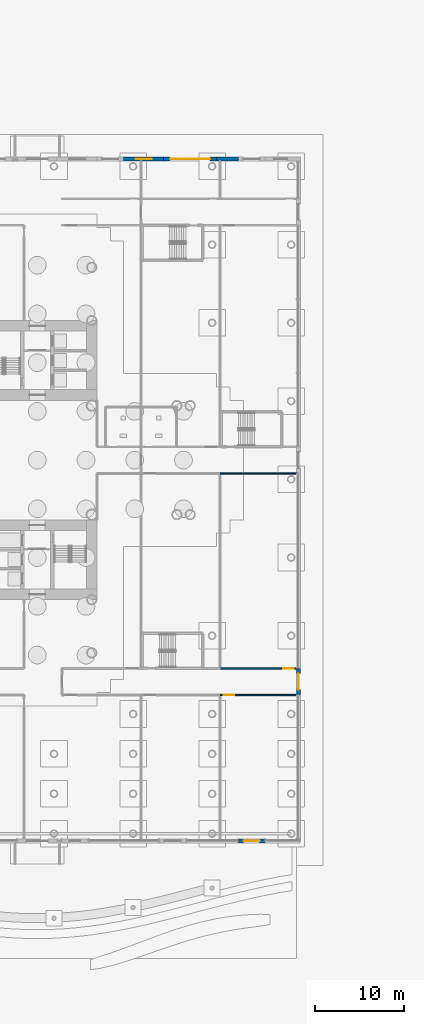
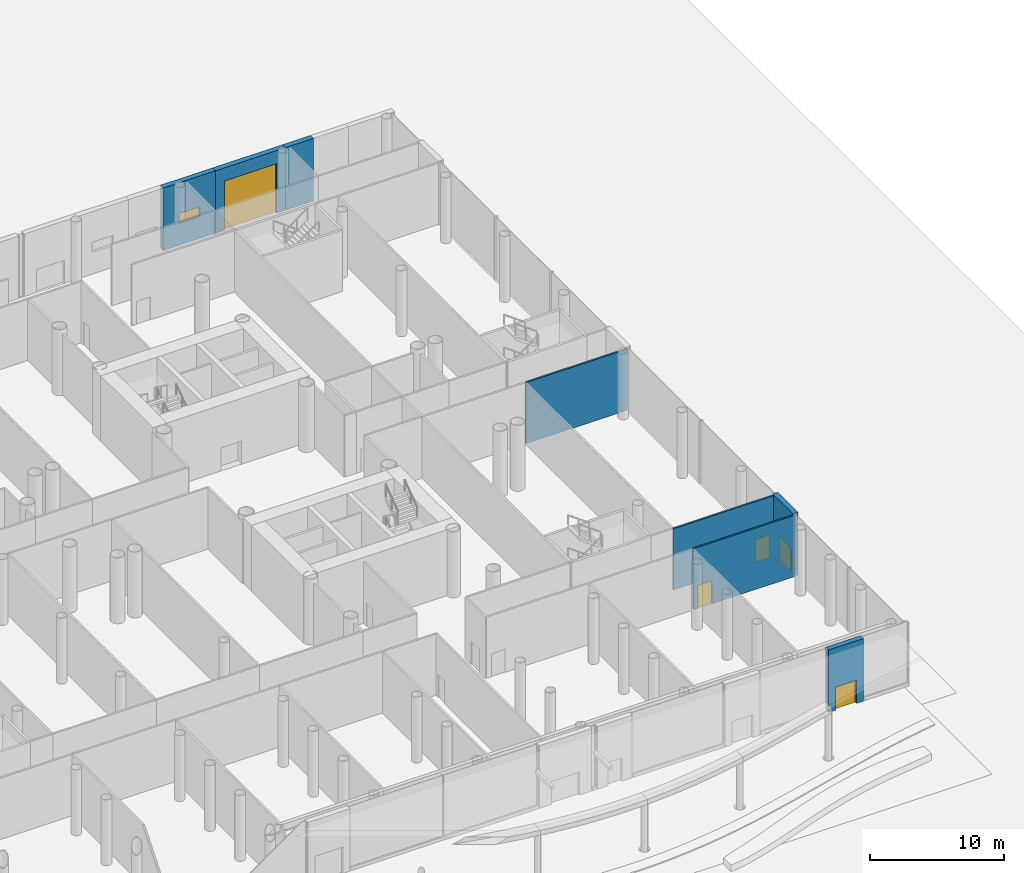
# One storey, part 37 of 75: 8 walls, 5 doors, 1 window, 6 openings.
"""IFC4 building model written with IfcOpenShell, lengths in metres."""

from ifc_helpers import new_model, si_unit, direction, frame, frame_2d, origin, place, context, subcontext, project, spatial, rectangle, extrude, material, layer, layer_set, type_object, element, fill, save


model = new_model("IFC4")

# Units and contexts
model_context = context("Model", 3, precision=1e-05, world=origin(), true_north=direction((0.0, 1.0)))
body_context = subcontext(model_context, "Body", "Model", "MODEL_VIEW")
ifc_project = project(units=[si_unit("LENGTHUNIT", "METRE"), si_unit("AREAUNIT", "SQUARE_METRE"), si_unit("VOLUMEUNIT", "CUBIC_METRE"), si_unit("PLANEANGLEUNIT", "RADIAN"), si_unit("MASSUNIT", "GRAM", prefix="KILO")], contexts=[model_context])

# Site, building, storey
site_placement = place(None, origin())
site = spatial("IfcSite", under=ifc_project, at=site_placement, CompositionType="ELEMENT")
building_placement = place(site_placement, origin())
building = spatial("IfcBuilding", under=site, at=building_placement, Name="Ipe Terrace Towers", CompositionType="ELEMENT")
storey_placement = place(building_placement, origin())
storey = spatial("IfcBuildingStorey", under=building, at=storey_placement, Name="L00", CompositionType="ELEMENT", Elevation=0.0)

# Wall, opening, door
ifc_material_1 = material(Name="Gypsum board partition", Category="plasterboard")
ifc_layer_1 = layer(ifc_material_1, 0.14990234375)
ifc_layer_set_1 = layer_set([ifc_layer_1], Name="Gypsum board partition 150 mm")
wall_type_1 = type_object("IfcWallType", Name="Gypsum board partition 150 mm", PredefinedType="PARTITIONING", material=ifc_layer_set_1)
wall_1_placement = place(storey_placement, frame((56.6298828125, -26.5, 0.0), z_axis=(0.0, 0.0, 1.0), x_axis=(1.0, 0.0, 0.0)))
wall_1 = element("IfcWall", 1, at=wall_1_placement, inside=storey, type_object=wall_type_1, Name="Gypsum board partition T2 L00 pd-r55-w69", PredefinedType="PARTITIONING", context=body_context, shape_type="SweptSolid", body=[
    extrude(rectangle(XDim=8.72021484375, YDim=0.14990234375, at=frame_2d((4.360107421875, 0.0))), origin(), (0.0, 0.0, 1.0), 5.580078125),
])
opening_1_placement = place(wall_1_placement, frame((0.39990234375, 0.0, 0.0)))
opening_1 = element("IfcOpeningElement", 2, at=opening_1_placement, cuts=wall_1, Name="Opening PD-L00-r55", PredefinedType="OPENING", context=body_context, shape_type="SweptSolid", body=[
    extrude(rectangle(XDim=1.199951171875, YDim=2.10009765625, at=frame_2d((0.60009765625, 1.050048828125))), frame((0.0, 0.0849609375, 0.0), z_axis=(0.0, -1.0, 0.0), x_axis=(1.0, 0.0, 0.0)), (0.0, 0.0, 1.0), 0.169921875),
])
ifc_material_2 = material(Name="Fire-rated timber door leaf", Category="wood")
door_type_1 = type_object("IfcDoorType", Name="Lounge door 1200 x 2100 FD30S", OperationType="NOTDEFINED", PredefinedType="DOOR", material=ifc_material_2)
door_1_placement = place(opening_1_placement, origin())
door_1 = element("IfcDoor", 3, at=door_1_placement, inside=storey, type_object=door_type_1, Name="Lounge door PD-L00-r55", OperationType="SINGLE_SWING_RIGHT", OverallHeight=2.10009765625, OverallWidth=1.199951171875, PredefinedType="DOOR", context=body_context, shape_type="SweptSolid", body=[
    extrude(rectangle(XDim=1.199951171875, YDim=2.10009765625, at=frame_2d((0.60009765625, 1.050048828125))), frame((0.0, 0.02490234375, 0.0), z_axis=(0.0, -1.0, 0.0), x_axis=(1.0, 0.0, 0.0)), (0.0, 0.0, 1.0), 0.050048828125),
])
fill(opening_1, door_1)

wall_2_placement = place(storey_placement, frame((65.35009765625, -23.5, 0.0), z_axis=(0.0, 0.0, 1.0), x_axis=(-1.0, 0.0, 0.0)))
wall_2 = element("IfcWall", 4, at=wall_2_placement, inside=storey, type_object=wall_type_1, Name="Gypsum board partition T2 L00 pd-r56-w70", PredefinedType="PARTITIONING", context=body_context, shape_type="SweptSolid", body=[
    extrude(rectangle(XDim=8.72021484375, YDim=0.14990234375, at=frame_2d((4.360107421875, 0.0))), origin(), (0.0, 0.0, 1.0), 5.580078125),
])
opening_2_placement = place(wall_2_placement, frame((0.39990234375, 0.0, 0.0)))
opening_2 = element("IfcOpeningElement", 5, at=opening_2_placement, cuts=wall_2, Name="Opening PD-L00-r56", PredefinedType="OPENING", context=body_context, shape_type="SweptSolid", body=[
    extrude(rectangle(XDim=1.199951171875, YDim=2.10009765625, at=frame_2d((0.60009765625, 1.050048828125))), frame((0.0, 0.0849609375, 0.0), z_axis=(0.0, -1.0, 0.0), x_axis=(1.0, 0.0, 0.0)), (0.0, 0.0, 1.0), 0.169921875),
])
door_2_placement = place(opening_2_placement, origin())
door_2 = element("IfcDoor", 6, at=door_2_placement, inside=storey, type_object=door_type_1, Name="Lounge door PD-L00-r56", OperationType="SINGLE_SWING_RIGHT", OverallHeight=2.10009765625, OverallWidth=1.199951171875, PredefinedType="DOOR", context=body_context, shape_type="SweptSolid", body=[
    extrude(rectangle(XDim=1.199951171875, YDim=2.10009765625, at=frame_2d((0.60009765625, 1.050048828125))), frame((0.0, 0.02490234375, 0.0), z_axis=(0.0, -1.0, 0.0), x_axis=(1.0, 0.0, 0.0)), (0.0, 0.0, 1.0), 0.050048828125),
])
fill(opening_2, door_2)

# Wall
wall_3_placement = place(storey_placement, frame((56.6298828125, -1.5, 0.0), z_axis=(0.0, 0.0, 1.0), x_axis=(1.0, 0.0, 0.0)))
element("IfcWall", 7, at=wall_3_placement, inside=storey, type_object=wall_type_1, Name="Gypsum board partition T2 L00 pd-r56-w71", PredefinedType="PARTITIONING", context=body_context, shape_type="SweptSolid", body=[
    extrude(rectangle(XDim=8.72021484375, YDim=0.14990234375, at=frame_2d((4.360107421875, 0.0))), origin(), (0.0, 0.0, 1.0), 5.580078125),
])

# Wall, opening, door
ifc_material_3 = material(Name="Concrete C40/50 with buff precast cladding", Category="concrete")
ifc_layer_2 = layer(ifc_material_3, 0.43994140625)
ifc_layer_set_2 = layer_set([ifc_layer_2], Name="PODIUM CLADDING WALL 440")
wall_type_2 = type_object("IfcWallType", Name="PODIUM CLADDING WALL 440", PredefinedType="STANDARD", material=ifc_layer_set_2)
wall_4_placement = place(storey_placement, frame((65.469970703125, -26.5, 0.0), z_axis=(0.0, 0.0, 1.0), x_axis=(0.0, 1.0, 0.0)))
wall_4 = element("IfcWall", 8, at=wall_4_placement, inside=storey, type_object=wall_type_2, Name="POD-W-L00-00b wall", PredefinedType="STANDARD", context=body_context, shape_type="SweptSolid", body=[
    extrude(rectangle(XDim=3.0, YDim=0.43994140625, at=frame_2d((1.5, 0.0))), origin(), (0.0, 0.0, 1.0), 5.699951171875),
])
opening_3_placement = place(wall_4_placement, frame((0.60009765625, 0.0, 0.0)))
opening_3 = element("IfcOpeningElement", 9, at=opening_3_placement, cuts=wall_4, Name="Opening POD-D-L00-01", PredefinedType="OPENING", context=body_context, shape_type="SweptSolid", body=[
    extrude(rectangle(XDim=1.800048828125, YDim=2.10009765625, at=frame_2d((0.89990234375, 1.050048828125))), frame((0.0, 0.22998046875, 0.0), z_axis=(0.0, -1.0, 0.0), x_axis=(1.0, 0.0, 0.0)), (0.0, 0.0, 1.0), 0.4599609375),
])
ifc_material_4 = material(Name="Steel S235 framed glazed exit door", Category="steel")
door_type_2 = type_object("IfcDoorType", Name="EXIT DOOR 1800 DOUBLE", OperationType="DOUBLE_DOOR_DOUBLE_SWING", PredefinedType="DOOR", material=ifc_material_4)
door_3_placement = place(opening_3_placement, origin())
door_3 = element("IfcDoor", 10, at=door_3_placement, inside=storey, type_object=door_type_2, Name="DX1 exit door", OperationType="DOUBLE_DOOR_DOUBLE_SWING", OverallHeight=2.10009765625, OverallWidth=1.800048828125, PredefinedType="DOOR", context=body_context, shape_type="SweptSolid", body=[
    extrude(rectangle(XDim=1.800048828125, YDim=2.10009765625, at=frame_2d((0.89990234375, 1.050048828125))), frame((0.0, 0.02490234375, 0.0), z_axis=(0.0, -1.0, 0.0), x_axis=(1.0, 0.0, 0.0)), (0.0, 0.0, 1.0), 0.050048828125),
])
fill(opening_3, door_3)

# Wall
wall_5_placement = place(storey_placement, frame((58.68994140625, 33.969970703125, 0.0), z_axis=(0.0, 0.0, 1.0), x_axis=(-1.0, 0.0, 0.0)))
element("IfcWall", 11, at=wall_5_placement, inside=storey, type_object=wall_type_2, Name="POD-W-L00-01c wall", PredefinedType="STANDARD", context=body_context, shape_type="SweptSolid", body=[
    extrude(rectangle(XDim=2.43994140625, YDim=0.43994140625, at=frame_2d((1.219970703125, 0.0))), origin(), (0.0, 0.0, 1.0), 5.699951171875),
])

# Wall, opening, door
wall_6_placement = place(storey_placement, frame((56.25, 33.969970703125, 0.0), z_axis=(0.0, 0.0, 1.0), x_axis=(-1.0, 0.0, 0.0)))
wall_6 = element("IfcWall", 12, at=wall_6_placement, inside=storey, type_object=wall_type_2, Name="POD-W-L00-01d wall", PredefinedType="STANDARD", context=body_context, shape_type="SweptSolid", body=[
    extrude(rectangle(XDim=6.0, YDim=0.43994140625, at=frame_2d((3.0, 0.0))), origin(), (0.0, 0.0, 1.0), 5.699951171875),
])
opening_4_placement = place(wall_6_placement, frame((0.75, 0.0, 0.0)))
opening_4 = element("IfcOpeningElement", 13, at=opening_4_placement, cuts=wall_6, Name="Opening POD-D-L00-03", PredefinedType="OPENING", context=body_context, shape_type="SweptSolid", body=[
    extrude(rectangle(XDim=4.5, YDim=4.5, at=frame_2d((2.25, 2.25))), frame((0.0, 0.22998046875, 0.0), z_axis=(0.0, -1.0, 0.0), x_axis=(1.0, 0.0, 0.0)), (0.0, 0.0, 1.0), 0.4599609375),
])
ifc_material_5 = material(Name="Steel S235 roller shutter", Category="steel")
door_type_3 = type_object("IfcDoorType", Name="VEHICLE DOOR 4500 x 4500", OperationType="ROLLINGUP", PredefinedType="DOOR", material=ifc_material_5)
door_4_placement = place(opening_4_placement, origin())
door_4 = element("IfcDoor", 14, at=door_4_placement, inside=storey, type_object=door_type_3, Name="DV1 vehicle door", OperationType="ROLLINGUP", OverallHeight=4.5, OverallWidth=4.5, PredefinedType="DOOR", context=body_context, shape_type="SweptSolid", body=[
    extrude(rectangle(XDim=4.5, YDim=4.5, at=frame_2d((2.25, 2.25))), frame((0.0, 0.02490234375, 0.0), z_axis=(0.0, -1.0, 0.0), x_axis=(1.0, 0.0, 0.0)), (0.0, 0.0, 1.0), 0.050048828125),
])
fill(opening_4, door_4)

# Wall, opening, window
wall_7_placement = place(storey_placement, frame((50.25, 33.969970703125, 0.0), z_axis=(0.0, 0.0, 1.0), x_axis=(-1.0, 0.0, 0.0)))
wall_7 = element("IfcWall", 15, at=wall_7_placement, inside=storey, type_object=wall_type_2, Name="POD-W-L00-01e wall", PredefinedType="STANDARD", context=body_context, shape_type="SweptSolid", body=[
    extrude(rectangle(XDim=4.5, YDim=0.43994140625, at=frame_2d((2.25, 0.0))), origin(), (0.0, 0.0, 1.0), 5.699951171875),
])
opening_5_placement = place(wall_7_placement, frame((1.35009765625, 0.0, 2.0)))
opening_5 = element("IfcOpeningElement", 16, at=opening_5_placement, cuts=wall_7, Name="Opening POD-W-04-L00-225", PredefinedType="OPENING", context=body_context, shape_type="SweptSolid", body=[
    extrude(rectangle(XDim=1.800048828125, YDim=0.89990234375, at=frame_2d((0.89990234375, 0.449951171875))), frame((0.0, 0.22998046875, 0.0), z_axis=(0.0, -1.0, 0.0), x_axis=(1.0, 0.0, 0.0)), (0.0, 0.0, 1.0), 0.4599609375),
])
ifc_material_6 = material(Name="Aluminium alloy 6063-T6 louvre", Category="aluminium")
window_type = type_object("IfcWindowType", Name="LOUVRE WINDOW 1800 x 900", PartitioningType="SINGLE_PANEL", PredefinedType="WINDOW", material=ifc_material_6)
window_placement = place(opening_5_placement, origin())
window = element("IfcWindow", 17, at=window_placement, inside=storey, type_object=window_type, Name="W-04 window", OverallHeight=0.89990234375, OverallWidth=1.800048828125, PartitioningType="SINGLE_PANEL", PredefinedType="WINDOW", context=body_context, shape_type="SweptSolid", body=[
    extrude(rectangle(XDim=1.800048828125, YDim=0.89990234375, at=frame_2d((0.89990234375, 0.449951171875))), frame((0.0, 0.030029296875, 0.0), z_axis=(0.0, -1.0, 0.0), x_axis=(1.0, 0.0, 0.0)), (0.0, 0.0, 1.0), 0.06005859375),
])
fill(opening_5, window)

# Wall, opening, door
wall_8_placement = place(storey_placement, frame((58.68994140625, -42.969970703125, 0.0), z_axis=(0.0, 0.0, 1.0), x_axis=(1.0, 0.0, 0.0)))
wall_8 = element("IfcWall", 18, at=wall_8_placement, inside=storey, type_object=wall_type_2, Name="POD-W-L00-03v wall", PredefinedType="STANDARD", context=body_context, shape_type="SweptSolid", body=[
    extrude(rectangle(XDim=3.0, YDim=0.43994140625, at=frame_2d((1.5, 0.0))), origin(), (0.0, 0.0, 1.0), 5.699951171875),
])
opening_6_placement = place(wall_8_placement, frame((0.60009765625, 0.0, 0.0)))
opening_6 = element("IfcOpeningElement", 19, at=opening_6_placement, cuts=wall_8, Name="Opening POD-D-L00-02", PredefinedType="OPENING", context=body_context, shape_type="SweptSolid", body=[
    extrude(rectangle(XDim=1.800048828125, YDim=2.10009765625, at=frame_2d((0.89990234375, 1.050048828125))), frame((0.0, 0.22998046875, 0.0), z_axis=(0.0, -1.0, 0.0), x_axis=(1.0, 0.0, 0.0)), (0.0, 0.0, 1.0), 0.4599609375),
])
ifc_material_7 = material(Name="Aluminium alloy 6063-T6 framed glazed door", Category="aluminium")
door_type_4 = type_object("IfcDoorType", Name="STREET DOOR 1800 DOUBLE", OperationType="DOUBLE_DOOR_DOUBLE_SWING", PredefinedType="DOOR", material=ifc_material_7)
door_5_placement = place(opening_6_placement, origin())
door_5 = element("IfcDoor", 20, at=door_5_placement, inside=storey, type_object=door_type_4, Name="DS1 street door", OperationType="DOUBLE_DOOR_DOUBLE_SWING", OverallHeight=2.10009765625, OverallWidth=1.800048828125, PredefinedType="DOOR", context=body_context, shape_type="SweptSolid", body=[
    extrude(rectangle(XDim=1.800048828125, YDim=2.10009765625, at=frame_2d((0.89990234375, 1.050048828125))), frame((0.0, 0.02490234375, 0.0), z_axis=(0.0, -1.0, 0.0), x_axis=(1.0, 0.0, 0.0)), (0.0, 0.0, 1.0), 0.050048828125),
])
fill(opening_6, door_5)

save(model, "model.ifc")
